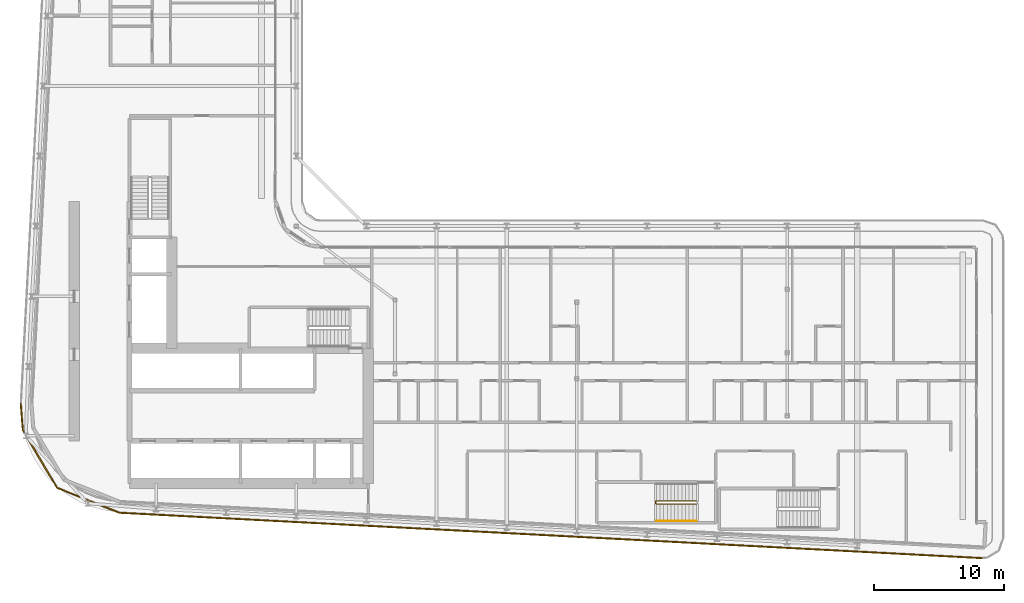
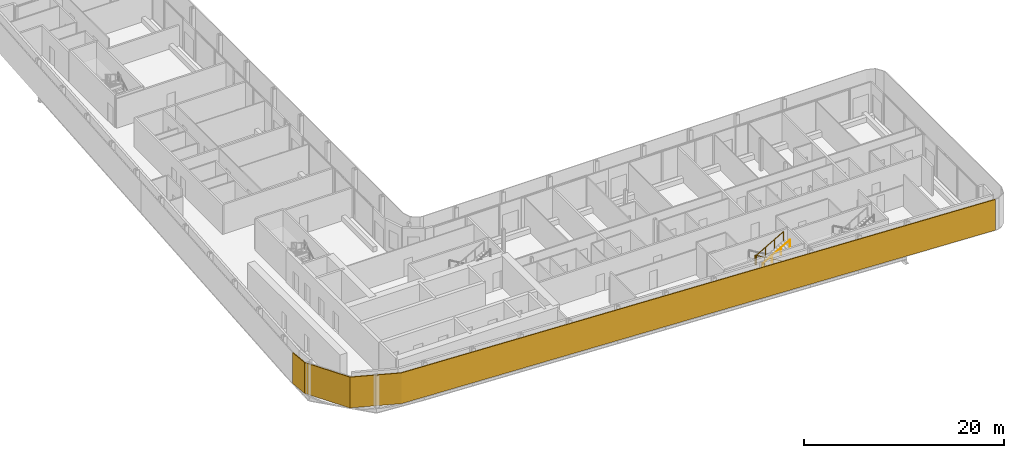
# One storey, part 25 of 29: 2 railings, 1 shading device.
"""IFC4 building model written with IfcOpenShell, lengths in metres."""

from ifc_helpers import new_model, si_unit, direction, frame, origin, origin_2d, place, context, subcontext, project, spatial, polyline, circle, outline, extrude, material, layer, layer_set, type_object, element, save


model = new_model("IFC4")

# Units and contexts
model_context = context("Model", 3, precision=1e-05, world=origin(), true_north=direction((0.0, 1.0)))
body_context = subcontext(model_context, "Body", "Model", "MODEL_VIEW")
ifc_project = project(units=[si_unit("LENGTHUNIT", "METRE"), si_unit("AREAUNIT", "SQUARE_METRE"), si_unit("VOLUMEUNIT", "CUBIC_METRE"), si_unit("PLANEANGLEUNIT", "RADIAN"), si_unit("MASSUNIT", "GRAM", prefix="KILO")], contexts=[model_context])

# Site, building, storey
site_placement = place(None, origin())
site = spatial("IfcSite", under=ifc_project, at=site_placement, CompositionType="ELEMENT")
building_placement = place(site_placement, origin())
building = spatial("IfcBuilding", under=site, at=building_placement, Name="Kheshtan School and Residences Tower", CompositionType="ELEMENT")
storey_placement = place(building_placement, frame((0.0, 0.0, 179.89990234375)))
storey = spatial("IfcBuildingStorey", under=building, at=storey_placement, Name="L42", CompositionType="ELEMENT", Elevation=179.89990234375)

# Shading device
ifc_material_1 = material(Name="Terracotta baguette, extruded ceramic", Category="masonry")
ifc_layer = layer(ifc_material_1, 0.10009765625)
ifc_layer_set = layer_set([ifc_layer], Name="Ledge screen, terracotta baguettes")
shading_device_type = type_object("IfcShadingDeviceType", Name="Ledge screen, terracotta baguettes", PredefinedType="USERDEFINED", material=ifc_layer_set)
shading_device_placement = place(storey_placement, origin())
element("IfcShadingDevice", 1, at=shading_device_placement, inside=storey, type_object=shading_device_type, Name="Screen L42 3", ObjectType="BAGUETTE", PredefinedType="USERDEFINED", context=body_context, shape_type="SweptSolid", body=[
    extrude(outline(polyline([(100.4208984375, 20.0830078125), (33.989013671875, 23.580078125), (29.2119140625, 25.486083984375), (26.583984375, 29.906982421875), (26.419921875, 31.989013671875), (26.320068359375, 31.98095703125), (26.486083984375, 29.8759765625), (29.14306640625, 25.406005859375), (33.967041015625, 23.48095703125), (100.416015625, 19.98291015625), (100.4208984375, 20.0830078125)])), origin(), (0.0, 0.0, 1.0), 3.75),
])

# Railings
ifc_material_2 = material(Name="Stainless steel balustrade", Category="steel")
railing_type_1 = type_object("IfcRailingType", Name="Stair guard 1100", PredefinedType="GUARDRAIL", material=ifc_material_2)
railing_1_placement = place(storey_placement, frame((78.409912109375, 24.449951171875, 0.16259765625)))
element("IfcRailing", 2, at=railing_1_placement, inside=storey, type_object=railing_type_1, Name="L42 ST5 stair guard 1", PredefinedType="GUARDRAIL", context=body_context, shape_type="SweptSolid", body=[
    extrude(circle(Radius=0.02392578125, at=origin_2d()), frame((0.0, 0.0, 1.076171875), z_axis=(-0.864873446163, 0.0, 0.501989962173), x_axis=(0.0, -1.0, 0.0)), (0.0, 0.0, 1.0), 3.56103515625),
    extrude(circle(Radius=0.02392578125, at=origin_2d()), frame((-3.079833984375, 0.0, 2.86376953125), z_axis=(-0.707106781187, -0.707106781187, 0.0), x_axis=(0.707106781187, -0.707106781187, 0.0)), (0.0, 0.0, 1.0), 0.07080078125),
    extrude(circle(Radius=0.02392578125, at=origin_2d()), frame((-3.1298828125, -0.050048828125, 2.86376953125), z_axis=(0.0, -1.0, 0.0), x_axis=(1.0, 0.0, 0.0)), (0.0, 0.0, 1.0), 0.14990234375),
    extrude(circle(Radius=0.02392578125, at=origin_2d()), frame((-3.1298828125, -0.199951171875, 2.86376953125), z_axis=(0.282583949758, -0.282583949758, 0.916674763849), x_axis=(0.707106781187, 0.707106781187, 0.0)), (0.0, 0.0, 1.0), 0.177001953125),
    extrude(circle(Radius=0.02392578125, at=origin_2d()), frame((-3.079833984375, -0.25, 3.02587890625), z_axis=(0.864873446163, 0.0, 0.501989962173), x_axis=(0.0, 1.0, 0.0)), (0.0, 0.0, 1.0), 3.56103515625),
    extrude(circle(Radius=0.02099609375, at=origin_2d()), origin(), (0.0, 0.0, 1.0), 1.052001953125),
    extrude(circle(Radius=0.02099609375, at=origin_2d()), frame((-1.026611328125, 0.0, 0.595947265625)), (0.0, 0.0, 1.0), 1.052001953125),
    extrude(circle(Radius=0.02099609375, at=origin_2d()), frame((-2.05322265625, 0.0, 1.191650390625)), (0.0, 0.0, 1.0), 1.052001953125),
    extrude(circle(Radius=0.02099609375, at=origin_2d()), frame((-3.079833984375, 0.0, 1.78759765625)), (0.0, 0.0, 1.0), 1.052001953125),
    extrude(circle(Radius=0.02099609375, at=origin_2d()), frame((-3.1298828125, -0.050048828125, 1.78759765625)), (0.0, 0.0, 1.0), 1.052001953125),
    extrude(circle(Radius=0.02099609375, at=origin_2d()), frame((-3.1298828125, -0.199951171875, 1.78759765625)), (0.0, 0.0, 1.0), 1.052001953125),
    extrude(circle(Radius=0.02099609375, at=origin_2d()), frame((-3.079833984375, -0.25, 1.949951171875)), (0.0, 0.0, 1.0), 1.052001953125),
    extrude(circle(Radius=0.02099609375, at=origin_2d()), frame((-2.05322265625, -0.25, 2.5458984375)), (0.0, 0.0, 1.0), 1.052001953125),
    extrude(circle(Radius=0.02099609375, at=origin_2d()), frame((-1.026611328125, -0.25, 3.1416015625)), (0.0, 0.0, 1.0), 1.052001953125),
    extrude(circle(Radius=0.02099609375, at=origin_2d()), frame((0.0, -0.25, 3.737548828125)), (0.0, 0.0, 1.0), 1.052001953125),
])
ifc_material_3 = material(Name="Stainless steel handrail", Category="steel")
railing_type_2 = type_object("IfcRailingType", Name="Stair handrail 900", PredefinedType="HANDRAIL", material=ifc_material_3)
railing_2_placement = place(storey_placement, frame((75.330078125, 22.89990234375, 2.112548828125)))
element("IfcRailing", 3, at=railing_2_placement, inside=storey, type_object=railing_type_2, Name="L42 ST5 stair handrail 2", PredefinedType="HANDRAIL", context=body_context, shape_type="SweptSolid", body=[
    extrude(circle(Radius=0.02392578125, at=origin_2d()), frame((0.0, 0.0, 0.8759765625), z_axis=(0.864873446163, 0.0, 0.501989962173), x_axis=(0.0, 1.0, 0.0)), (0.0, 0.0, 1.0), 3.56103515625),
    extrude(circle(Radius=0.02099609375, at=origin_2d()), origin(), (0.0, 0.0, 1.0), 0.851806640625),
    extrude(circle(Radius=0.02099609375, at=origin_2d()), frame((1.026611328125, 0.0, 0.595947265625)), (0.0, 0.0, 1.0), 0.851806640625),
    extrude(circle(Radius=0.02099609375, at=origin_2d()), frame((2.05322265625, 0.0, 1.191650390625)), (0.0, 0.0, 1.0), 0.851806640625),
    extrude(circle(Radius=0.02099609375, at=origin_2d()), frame((3.079833984375, 0.0, 1.78759765625)), (0.0, 0.0, 1.0), 0.851806640625),
])

save(model, "model.ifc")
